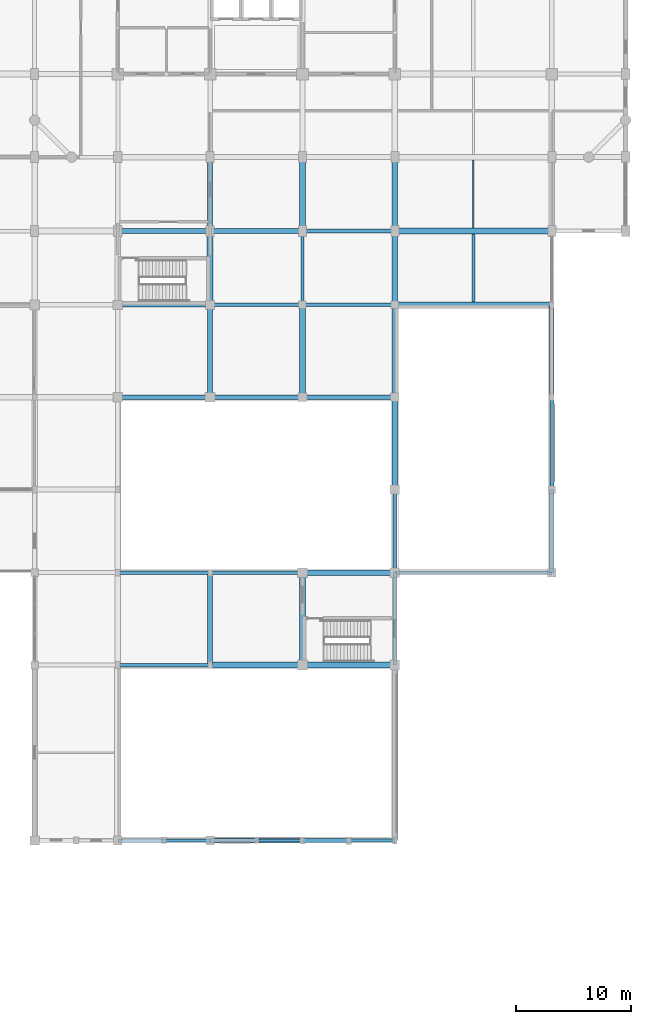
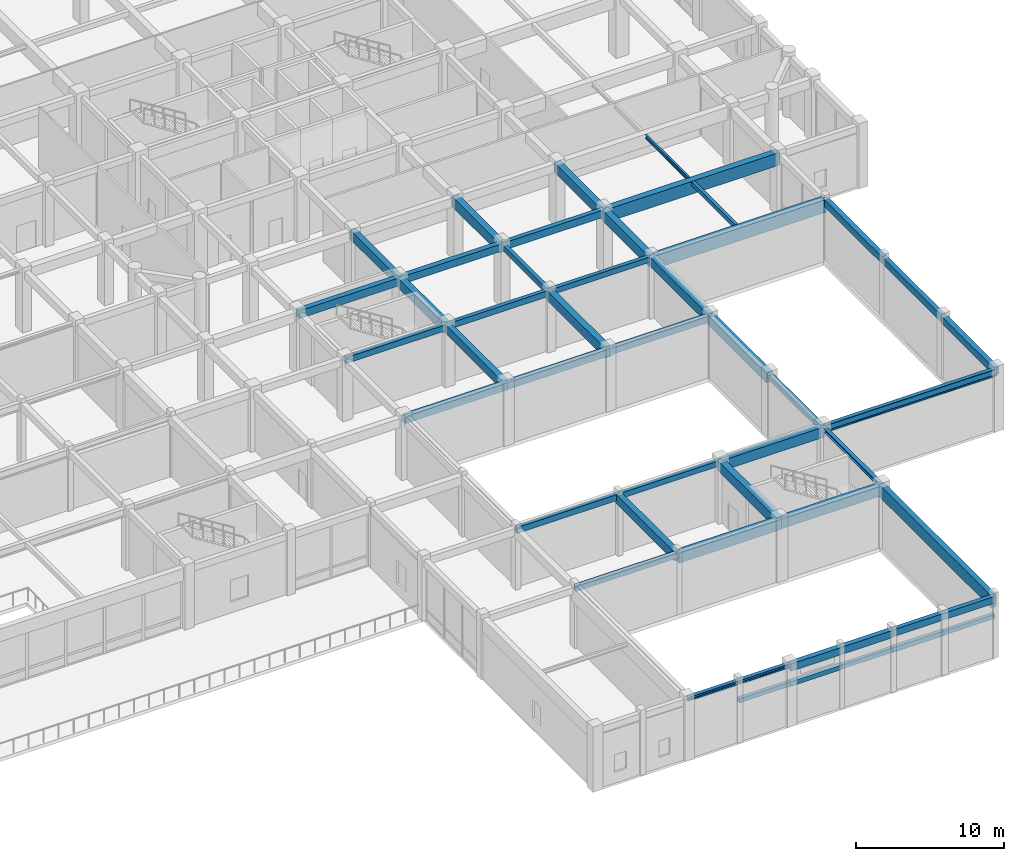
# One storey, part 13 of 36: 46 beams.
"""IFC4 building model written with IfcOpenShell, lengths in metres."""

import ifcopenshell
import ifcopenshell.guid

model = None  # the IFC model being written
_history = None  # IfcOwnerHistory: only IFC2X3 demands one
_inside = {}  # id of a spatial element -> (the spatial element, [elements in it])
_under = {}  # id of a project, library or spatial element -> (it, [spatial elements below it])
_declared = {}  # id of a project -> (the project, [libraries it declares])
_typed = {}  # id of a type object -> (the type object, [elements of that type])
_made_of = {}  # id of a material, layer set ... -> (it, [elements and type objects made of it])


def new_model(schema):
    """Start an empty IFC model of exactly this schema.

    Asked for "IFC4X3", IfcOpenShell would pick the latest addendum, in which some entities
    have other attributes; the version numbers below select the first issue.
    IFC2X3 requires an IfcOwnerHistory on every rooted entity: one is made here for all.
    """
    global model, _history
    if schema == "IFC4X3":
        model = ifcopenshell.file(schema_version=(4, 3, 0, 0))
    else:
        model = ifcopenshell.file(schema=schema)
    _inside.clear()
    _under.clear()
    _declared.clear()
    _typed.clear()
    _made_of.clear()
    _history = None
    if model.schema == "IFC2X3":
        org = make("IfcOrganization", Name="unknown")
        user = make(
            "IfcPersonAndOrganization",
            ThePerson=make("IfcPerson", FamilyName="unknown"),
            TheOrganization=org,
        )
        app = make(
            "IfcApplication",
            ApplicationDeveloper=org,
            Version="unknown",
            ApplicationFullName="unknown",
            ApplicationIdentifier="unknown",
        )
        _history = make(
            "IfcOwnerHistory",
            OwningUser=user,
            OwningApplication=app,
            ChangeAction="ADDED",
            CreationDate=0,
        )
    return model


def make(cls, **values):
    """One entity of the class cls with the attributes given. An attribute that is None is left unset."""
    return model.create_entity(
        cls, **{name: value for name, value in values.items() if value is not None}
    )


def rooted(cls, **values):
    """An entity with a GlobalId (a new one), such as an element, a storey or a relation."""
    return make(cls, GlobalId=ifcopenshell.guid.new(), OwnerHistory=_history, **values)


def si_unit(unit_type, name, prefix=None):
    """IfcSIUnit, for example si_unit("LENGTHUNIT", "METRE", prefix="MILLI")."""
    return make("IfcSIUnit", UnitType=unit_type, Prefix=prefix, Name=name)


def assignment(units):
    """IfcUnitAssignment: the units of a project."""
    return None if units is None else make("IfcUnitAssignment", Units=units)


def point(xyz):
    """IfcCartesianPoint."""
    return None if xyz is None else make("IfcCartesianPoint", Coordinates=xyz)


def direction(xyz):
    """IfcDirection."""
    return None if xyz is None else make("IfcDirection", DirectionRatios=xyz)


def frame(location, z_axis=None, x_axis=None):
    """IfcAxis2Placement3D, a coordinate frame: its origin and axes. An axis left out is left unset."""
    return make(
        "IfcAxis2Placement3D",
        Location=point(location),
        Axis=direction(z_axis),
        RefDirection=direction(x_axis),
    )


def frame_2d(location, x_axis=None):
    """IfcAxis2Placement2D, a coordinate frame in the plane: its origin and x axis."""
    return make(
        "IfcAxis2Placement2D", Location=point(location), RefDirection=direction(x_axis)
    )


def origin():
    """The frame at (0, 0, 0) with its axes left unset."""
    return frame((0.0, 0.0, 0.0))


def origin_2d():
    """The frame at (0, 0) in the plane with its x axis left unset."""
    return frame_2d((0.0, 0.0))


def place(relative_to, where):
    """IfcLocalPlacement: puts the frame where relative to a parent placement (None: the world)."""
    return make(
        "IfcLocalPlacement", PlacementRelTo=relative_to, RelativePlacement=where
    )


def context(
    kind, dimensions, precision=None, world=None, true_north=None, identifier=None
):
    """IfcGeometricRepresentationContext, for example the 3D "Model" context."""
    return make(
        "IfcGeometricRepresentationContext",
        ContextIdentifier=identifier,
        ContextType=kind,
        CoordinateSpaceDimension=dimensions,
        Precision=precision,
        WorldCoordinateSystem=world,
        TrueNorth=true_north,
    )


def subcontext(parent, identifier, kind, view, scale=None):
    """IfcGeometricRepresentationSubContext, for example "Body" below "Model"."""
    return make(
        "IfcGeometricRepresentationSubContext",
        ContextIdentifier=identifier,
        ContextType=kind,
        ParentContext=parent,
        TargetScale=scale,
        TargetView=view,
    )


def project(units=None, contexts=None):
    """IfcProject with its units and contexts."""
    return rooted(
        "IfcProject",
        Name="project",
        RepresentationContexts=contexts,
        UnitsInContext=assignment(units),
    )


def spatial(cls, under=None, at=None, **own):
    """A site, building, storey or space (cls), placed at a placement, below another one or the project."""
    s = rooted(cls, ObjectPlacement=at, **own)
    if under is not None:
        _under.setdefault(under.id(), (under, []))[1].append(s)
    return s


def profile(cls, at=None, kind="AREA", **sizes):
    """A parametric profile (cls). Its sizes go by their IFC names, for example OverallWidth=200.0."""
    return make(cls, ProfileType=kind, Position=at, **sizes)


def rectangle(**sizes):
    """IfcRectangleProfileDef."""
    return profile("IfcRectangleProfileDef", **sizes)


def i_section(**sizes):
    """IfcIShapeProfileDef."""
    return profile("IfcIShapeProfileDef", **sizes)


def extrude(swept, where, along, depth):
    """IfcExtrudedAreaSolid: the profile swept, set in the frame where, extruded along a direction by depth."""
    return make(
        "IfcExtrudedAreaSolid",
        SweptArea=swept,
        Position=where,
        ExtrudedDirection=direction(along),
        Depth=depth,
    )


def shape(context_of_items, identifier, shape_type, items):
    """IfcShapeRepresentation: the items that make up one representation, for example the "Body"."""
    return make(
        "IfcShapeRepresentation",
        ContextOfItems=context_of_items,
        RepresentationIdentifier=identifier,
        RepresentationType=shape_type,
        Items=items,
    )


def material(Name=None, Category=None):
    """IfcMaterial."""
    return make("IfcMaterial", Name=Name, Category=Category)


def material_profile(
    of_material, cross_section, Name=None, Category=None, Priority=None
):
    """IfcMaterialProfile: a cross section and its material."""
    return make(
        "IfcMaterialProfile",
        Name=Name,
        Material=of_material,
        Profile=cross_section,
        Priority=Priority,
        Category=Category,
    )


def profile_set(profiles, Name=None, composite=None):
    """IfcMaterialProfileSet."""
    return make(
        "IfcMaterialProfileSet",
        Name=Name,
        MaterialProfiles=profiles,
        CompositeProfile=composite,
    )


def made_of(thing, what):
    """Note that an element or type object is made of a material, layer set ...; save() writes the relation."""
    if what is not None:
        _made_of.setdefault(what.id(), (what, []))[1].append(thing)
    return thing


def type_object(cls, material=None, **own):
    """A type object (cls), such as IfcWallType, which elements share."""
    return made_of(rooted(cls, **own), material)


def element(
    cls,
    number,
    at=None,
    inside=None,
    cuts=None,
    type_object=None,
    material=None,
    context=None,
    identifier="Body",
    shape_type=None,
    held_by="IfcProductDefinitionShape",
    body=None,
    shapes=None,
    **own,
):
    """One element of the class cls, such as IfcWall. Its Tag is "e" and its number.

    at: its placement. inside: the storey or other place that contains it. cuts: it is an
    opening in that element (IfcRelVoidsElement). A single representation is given by context,
    identifier, shape_type and body (its items); several are given by shapes. held_by: the class
    of the entity that holds the representations. save() writes the other relations.
    """
    e = rooted(cls, Tag="e%d" % number, ObjectPlacement=at, **own)
    if body is not None:
        shapes = [shape(context, identifier, shape_type, body)]
    if shapes is not None:
        e.Representation = make(held_by, Representations=shapes)
    if inside is not None:
        _inside.setdefault(inside.id(), (inside, []))[1].append(e)
    if cuts is not None:
        rooted(
            "IfcRelVoidsElement", RelatingBuildingElement=cuts, RelatedOpeningElement=e
        )
    if type_object is not None:
        _typed.setdefault(type_object.id(), (type_object, []))[1].append(e)
    return made_of(e, material)


def aggregate(whole, parts):
    """IfcRelAggregates: a whole, such as a stair, and the parts it consists of."""
    return rooted("IfcRelAggregates", RelatingObject=whole, RelatedObjects=parts)


def save(model, path):
    """Write the relations noted so far, then the file.

    IfcRelAggregates (storeys below a building ...), IfcRelContainedInSpatialStructure (elements
    in a storey), IfcRelDefinesByType, IfcRelAssociatesMaterial and IfcRelDeclares: one each for
    every whole, place, type object, material and project.
    """
    for whole, parts in _under.values():
        aggregate(whole, parts)
    for where, things in _inside.values():
        rooted(
            "IfcRelContainedInSpatialStructure",
            RelatedElements=things,
            RelatingStructure=where,
        )
    for kind, things in _typed.values():
        rooted("IfcRelDefinesByType", RelatedObjects=things, RelatingType=kind)
    for what, things in _made_of.values():
        rooted("IfcRelAssociatesMaterial", RelatedObjects=things, RelatingMaterial=what)
    for by, libraries in _declared.values():
        rooted("IfcRelDeclares", RelatingContext=by, RelatedDefinitions=libraries)
    model.write(path)


model = new_model("IFC4")

# Units and contexts
model_context = context("Model", 3, precision=1e-05, world=origin(), true_north=direction((0.0, 1.0)))
body_context = subcontext(model_context, "Body", "Model", "MODEL_VIEW")
ifc_project = project(units=[si_unit("LENGTHUNIT", "METRE"), si_unit("AREAUNIT", "SQUARE_METRE"), si_unit("VOLUMEUNIT", "CUBIC_METRE"), si_unit("PLANEANGLEUNIT", "RADIAN"), si_unit("MASSUNIT", "GRAM", prefix="KILO")], contexts=[model_context])

# Site, building, storey
site_placement = place(None, origin())
site = spatial("IfcSite", under=ifc_project, at=site_placement, CompositionType="ELEMENT")
building_placement = place(site_placement, origin())
building = spatial("IfcBuilding", under=site, at=building_placement, Name="Vellmiral Cinema and Media Centre", CompositionType="ELEMENT")
storey_placement = place(building_placement, frame((0.0, 0.0, 5.39990234375)))
storey = spatial("IfcBuildingStorey", under=building, at=storey_placement, Name="L01", CompositionType="ELEMENT", Elevation=5.39990234375)

# Beams
ifc_material_1 = material(Name="Concrete C40/50", Category="concrete")
ifc_material_profile_1 = material_profile(ifc_material_1, rectangle(XDim=0.300048828125, YDim=0.449951171875, at=origin_2d()), Name="RC 300x450")
ifc_profile_set_1 = profile_set([ifc_material_profile_1], Name="Concrete C40/50")
beam_type_1 = type_object("IfcBeamType", Name="BM-RC-300x450", PredefinedType="BEAM", material=ifc_profile_set_1)
for number, where, z_axis, x_axis, name in (
    (1, (124.0, 28.0, 4.81005859375), (1.0, 0.0, 0.0), (0.0, 1.0, 0.0), "Grid Beam L01-X015"),
    (2, (132.0, 36.0, 4.81005859375), (1.0, 0.0, 0.0), (0.0, 1.0, 0.0), "Grid Beam L01-X026"),
    (3, (140.0, 59.199951171875, 4.81005859375), (1.0, 0.0, 0.0), (0.0, 1.0, 0.0), "Grid Beam L01-X070"),
):
    element("IfcBeam", number, at=place(storey_placement, frame(where, z_axis=z_axis, x_axis=x_axis)), inside=storey, type_object=beam_type_1, Name=name, PredefinedType="BEAM", context=body_context, shape_type="SweptSolid", body=[
        extrude(rectangle(XDim=0.300048828125, YDim=0.449951171875, at=origin_2d()), origin(), (0.0, 0.0, 1.0), 8.0),
    ])
beam_1_placement = place(storey_placement, frame((140.0, 59.199951171875, 4.81005859375), z_axis=(0.0, 1.0, 0.0), x_axis=(-1.0, 0.0, 0.0)))
element("IfcBeam", 4, at=beam_1_placement, inside=storey, type_object=beam_type_1, Name="Grid Beam L01-Y315", PredefinedType="BEAM", context=body_context, shape_type="SweptSolid", body=[
    extrude(rectangle(XDim=0.300048828125, YDim=0.449951171875, at=origin_2d()), origin(), (0.0, 0.0, 1.0), 6.400146484375),
])
ifc_material_2 = material(Name="Concrete C40/50", Category="concrete")
ifc_material_profile_2 = material_profile(ifc_material_2, rectangle(XDim=0.300048828125, YDim=0.5, at=origin_2d()), Name="RC 300x500")
ifc_profile_set_2 = profile_set([ifc_material_profile_2], Name="Concrete C40/50")
beam_type_2 = type_object("IfcBeamType", Name="BM-RC-300x500", PredefinedType="BEAM", material=ifc_profile_set_2)
for number, where, z_axis, x_axis, name in (
    (5, (124.0, 36.0, 4.78515625), (1.0, 0.0, 0.0), (0.0, 1.0, 0.0), "Grid Beam L01-X025"),
    (6, (132.0, 59.199951171875, 4.78515625), (1.0, 0.0, 0.0), (0.0, 1.0, 0.0), "Grid Beam L01-X069"),
):
    element("IfcBeam", number, at=place(storey_placement, frame(where, z_axis=z_axis, x_axis=x_axis)), inside=storey, type_object=beam_type_2, Name=name, PredefinedType="BEAM", context=body_context, shape_type="SweptSolid", body=[
        extrude(rectangle(XDim=0.300048828125, YDim=0.5, at=origin_2d()), origin(), (0.0, 0.0, 1.0), 8.0),
    ])
beam_2_placement = place(storey_placement, frame((148.0, 36.0, 4.78515625), z_axis=(0.0, 1.0, 0.0), x_axis=(-1.0, 0.0, 0.0)))
element("IfcBeam", 7, at=beam_2_placement, inside=storey, type_object=beam_type_2, Name="Grid Beam L01-Y324", PredefinedType="BEAM", context=body_context, shape_type="SweptSolid", body=[
    extrude(rectangle(XDim=0.300048828125, YDim=0.5, at=origin_2d()), origin(), (0.0, 0.0, 1.0), 7.199951171875),
])
ifc_material_3 = material(Name="Concrete C40/50", Category="concrete")
ifc_material_profile_3 = material_profile(ifc_material_3, rectangle(XDim=0.35009765625, YDim=0.5, at=origin_2d()), Name="RC 350x500")
ifc_profile_set_3 = profile_set([ifc_material_profile_3], Name="Concrete C40/50")
beam_type_3 = type_object("IfcBeamType", Name="BM-RC-350x500", PredefinedType="BEAM", material=ifc_profile_set_3)
beam_3_placement = place(storey_placement, frame((124.0, 59.199951171875, 4.78515625), z_axis=(1.0, 0.0, 0.0), x_axis=(0.0, 1.0, 0.0)))
element("IfcBeam", 8, at=beam_3_placement, inside=storey, type_object=beam_type_3, Name="Grid Beam L01-X068", PredefinedType="BEAM", context=body_context, shape_type="SweptSolid", body=[
    extrude(rectangle(XDim=0.35009765625, YDim=0.5, at=origin_2d()), origin(), (0.0, 0.0, 1.0), 8.0),
])
ifc_material_4 = material(Name="Concrete C40/50", Category="concrete")
ifc_material_profile_4 = material_profile(ifc_material_4, rectangle(XDim=0.35009765625, YDim=0.550048828125, at=origin_2d()), Name="RC 350x550")
ifc_profile_set_4 = profile_set([ifc_material_profile_4], Name="Concrete C40/50")
beam_type_4 = type_object("IfcBeamType", Name="BM-RC-350x550", PredefinedType="BEAM", material=ifc_profile_set_4)
beam_4_placement = place(storey_placement, frame((140.0, 51.199951171875, 4.760009765625), z_axis=(1.0, 0.0, 0.0), x_axis=(0.0, 1.0, 0.0)))
element("IfcBeam", 9, at=beam_4_placement, inside=storey, type_object=beam_type_4, Name="Grid Beam L01-X056", PredefinedType="BEAM", context=body_context, shape_type="SweptSolid", body=[
    extrude(rectangle(XDim=0.35009765625, YDim=0.550048828125, at=origin_2d()), origin(), (0.0, 0.0, 1.0), 8.0),
])
ifc_material_5 = material(Name="Concrete C40/50", Category="concrete")
ifc_material_profile_5 = material_profile(ifc_material_5, rectangle(XDim=0.35009765625, YDim=0.60009765625, at=origin_2d()), Name="RC 350x600")
ifc_profile_set_5 = profile_set([ifc_material_profile_5], Name="Concrete C40/50")
beam_type_5 = type_object("IfcBeamType", Name="BM-RC-350x600", PredefinedType="BEAM", material=ifc_profile_set_5)
for number, where, z_axis, x_axis, name in (
    (10, (132.0, 51.199951171875, 4.735107421875), (1.0, 0.0, 0.0), (0.0, 1.0, 0.0), "Grid Beam L01-X055"),
    (11, (140.0, 65.60009765625, 4.735107421875), (1.0, 0.0, 0.0), (0.0, 1.0, 0.0), "Grid Beam L01-X088"),
):
    element("IfcBeam", number, at=place(storey_placement, frame(where, z_axis=z_axis, x_axis=x_axis)), inside=storey, type_object=beam_type_5, Name=name, PredefinedType="BEAM", context=body_context, shape_type="SweptSolid", body=[
        extrude(rectangle(XDim=0.35009765625, YDim=0.60009765625, at=origin_2d()), origin(), (0.0, 0.0, 1.0), 8.0),
    ])
ifc_material_6 = material(Name="Concrete C40/50", Category="concrete")
ifc_material_profile_6 = material_profile(ifc_material_6, rectangle(XDim=0.39990234375, YDim=0.60009765625, at=origin_2d()), Name="RC 400x600")
ifc_profile_set_6 = profile_set([ifc_material_profile_6], Name="Concrete C40/50")
beam_type_6 = type_object("IfcBeamType", Name="BM-RC-400x600", PredefinedType="BEAM", material=ifc_profile_set_6)
for number, where, z_axis, x_axis, name in (
    (12, (124.0, 51.199951171875, 4.735107421875), (1.0, 0.0, 0.0), (0.0, 1.0, 0.0), "Grid Beam L01-X054"),
    (13, (132.0, 65.60009765625, 4.735107421875), (1.0, 0.0, 0.0), (0.0, 1.0, 0.0), "Grid Beam L01-X087"),
):
    element("IfcBeam", number, at=place(storey_placement, frame(where, z_axis=z_axis, x_axis=x_axis)), inside=storey, type_object=beam_type_6, Name=name, PredefinedType="BEAM", context=body_context, shape_type="SweptSolid", body=[
        extrude(rectangle(XDim=0.39990234375, YDim=0.60009765625, at=origin_2d()), origin(), (0.0, 0.0, 1.0), 8.0),
    ])
ifc_material_7 = material(Name="Concrete C40/50", Category="concrete")
ifc_material_profile_7 = material_profile(ifc_material_7, rectangle(XDim=0.39990234375, YDim=0.64990234375, at=origin_2d()), Name="RC 400x650")
ifc_profile_set_7 = profile_set([ifc_material_profile_7], Name="Concrete C40/50")
beam_type_7 = type_object("IfcBeamType", Name="BM-RC-400x650", PredefinedType="BEAM", material=ifc_profile_set_7)
beam_5_placement = place(storey_placement, frame((124.0, 65.60009765625, 4.710205078125), z_axis=(1.0, 0.0, 0.0), x_axis=(0.0, 1.0, 0.0)))
element("IfcBeam", 14, at=beam_5_placement, inside=storey, type_object=beam_type_7, Name="Grid Beam L01-X086", PredefinedType="BEAM", context=body_context, shape_type="SweptSolid", body=[
    extrude(rectangle(XDim=0.39990234375, YDim=0.64990234375, at=origin_2d()), origin(), (0.0, 0.0, 1.0), 8.0),
])
ifc_material_8 = material(Name="Concrete C40/50", Category="concrete")
ifc_material_profile_8 = material_profile(ifc_material_8, rectangle(XDim=0.449951171875, YDim=0.699951171875, at=origin_2d()), Name="RC 450x700")
ifc_profile_set_8 = profile_set([ifc_material_profile_8], Name="Concrete C40/50")
beam_type_8 = type_object("IfcBeamType", Name="BM-RC-450x700", PredefinedType="BEAM", material=ifc_profile_set_8)
beam_6_placement = place(storey_placement, frame((132.0, 51.199951171875, 4.68505859375), z_axis=(0.0, 1.0, 0.0), x_axis=(-1.0, 0.0, 0.0)))
element("IfcBeam", 15, at=beam_6_placement, inside=storey, type_object=beam_type_8, Name="Grid Beam L01-Y305", PredefinedType="BEAM", context=body_context, shape_type="SweptSolid", body=[
    extrude(rectangle(XDim=0.449951171875, YDim=0.699951171875, at=origin_2d()), origin(), (0.0, 0.0, 1.0), 8.0),
])
ifc_material_9 = material(Name="Concrete C40/50", Category="concrete")
ifc_material_profile_9 = material_profile(ifc_material_9, rectangle(XDim=0.449951171875, YDim=0.75, at=origin_2d()), Name="RC 450x750")
ifc_profile_set_9 = profile_set([ifc_material_profile_9], Name="Concrete C40/50")
beam_type_9 = type_object("IfcBeamType", Name="BM-RC-450x750", PredefinedType="BEAM", material=ifc_profile_set_9)
beam_7_placement = place(storey_placement, frame((132.0, 28.0, 4.66015625), z_axis=(0.0, 1.0, 0.0), x_axis=(-1.0, 0.0, 0.0)))
element("IfcBeam", 16, at=beam_7_placement, inside=storey, type_object=beam_type_9, Name="Grid Beam L01-Y304", PredefinedType="BEAM", context=body_context, shape_type="SweptSolid", body=[
    extrude(rectangle(XDim=0.449951171875, YDim=0.75, at=origin_2d()), origin(), (0.0, 0.0, 1.0), 8.0),
])
beam_8_placement = place(storey_placement, frame((132.0, 65.60009765625, 4.66015625), z_axis=(0.0, 1.0, 0.0), x_axis=(-1.0, 0.0, 0.0)))
element("IfcBeam", 17, at=beam_8_placement, inside=storey, type_object=beam_type_9, Name="Grid Beam L01-Y307", PredefinedType="BEAM", context=body_context, shape_type="SweptSolid", body=[
    extrude(rectangle(XDim=0.449951171875, YDim=0.75, at=origin_2d()), origin(), (0.0, 0.0, 1.0), 6.39990234375),
])
beam_9_placement = place(storey_placement, frame((148.0, 51.199951171875, 4.66015625), z_axis=(0.0, 1.0, 0.0), x_axis=(-1.0, 0.0, 0.0)))
element("IfcBeam", 18, at=beam_9_placement, inside=storey, type_object=beam_type_9, Name="Grid Beam L01-Y326", PredefinedType="BEAM", context=body_context, shape_type="SweptSolid", body=[
    extrude(rectangle(XDim=0.449951171875, YDim=0.75, at=origin_2d()), origin(), (0.0, 0.0, 1.0), 8.0),
])
ifc_material_10 = material(Name="Concrete C40/50", Category="concrete")
ifc_material_profile_10 = material_profile(ifc_material_10, rectangle(XDim=0.5, YDim=0.800048828125, at=origin_2d()), Name="RC 500x800")
ifc_profile_set_10 = profile_set([ifc_material_profile_10], Name="Concrete C40/50")
beam_type_10 = type_object("IfcBeamType", Name="BM-RC-500x800", PredefinedType="BEAM", material=ifc_profile_set_10)
beam_10_placement = place(storey_placement, frame((140.0, 28.0, 4.635009765625), z_axis=(1.0, 0.0, 0.0), x_axis=(0.0, 1.0, 0.0)))
element("IfcBeam", 19, at=beam_10_placement, inside=storey, type_object=beam_type_10, Name="Grid Beam L01-X017", PredefinedType="BEAM", context=body_context, shape_type="SweptSolid", body=[
    extrude(rectangle(XDim=0.5, YDim=0.800048828125, at=origin_2d()), origin(), (0.0, 0.0, 1.0), 8.0),
])
beam_11_placement = place(storey_placement, frame((132.0, 59.199951171875, 4.635009765625), z_axis=(0.0, 1.0, 0.0), x_axis=(-1.0, 0.0, 0.0)))
element("IfcBeam", 20, at=beam_11_placement, inside=storey, type_object=beam_type_10, Name="Grid Beam L01-Y306", PredefinedType="BEAM", context=body_context, shape_type="SweptSolid", body=[
    extrude(rectangle(XDim=0.5, YDim=0.800048828125, at=origin_2d()), origin(), (0.0, 0.0, 1.0), 6.400146484375),
])
for number, where, z_axis, x_axis, name in (
    (21, (140.0, 51.199951171875, 4.635009765625), (0.0, 1.0, 0.0), (-1.0, 0.0, 0.0), "Grid Beam L01-Y314"),
    (22, (148.0, 43.199951171875, 4.635009765625), (0.0, 1.0, 0.0), (-1.0, 0.0, 0.0), "Grid Beam L01-Y325"),
):
    element("IfcBeam", number, at=place(storey_placement, frame(where, z_axis=z_axis, x_axis=x_axis)), inside=storey, type_object=beam_type_10, Name=name, PredefinedType="BEAM", context=body_context, shape_type="SweptSolid", body=[
        extrude(rectangle(XDim=0.5, YDim=0.800048828125, at=origin_2d()), origin(), (0.0, 0.0, 1.0), 8.0),
    ])
beam_12_placement = place(storey_placement, frame((148.0, 65.60009765625, 4.635009765625), z_axis=(0.0, 1.0, 0.0), x_axis=(-1.0, 0.0, 0.0)))
element("IfcBeam", 23, at=beam_12_placement, inside=storey, type_object=beam_type_10, Name="Grid Beam L01-Y328", PredefinedType="BEAM", context=body_context, shape_type="SweptSolid", body=[
    extrude(rectangle(XDim=0.5, YDim=0.800048828125, at=origin_2d()), origin(), (0.0, 0.0, 1.0), 6.39990234375),
])
ifc_material_11 = material(Name="Concrete C40/50", Category="concrete")
ifc_material_profile_11 = material_profile(ifc_material_11, rectangle(XDim=0.5, YDim=0.85009765625, at=origin_2d()), Name="RC 500x850")
ifc_profile_set_11 = profile_set([ifc_material_profile_11], Name="Concrete C40/50")
beam_type_11 = type_object("IfcBeamType", Name="BM-RC-500x850", PredefinedType="BEAM", material=ifc_profile_set_11)
for number, where, z_axis, x_axis, name in (
    (24, (132.0, 28.0, 4.610107421875), (1.0, 0.0, 0.0), (0.0, 1.0, 0.0), "Grid Beam L01-X016"),
    (25, (140.0, 36.0, 4.610107421875), (1.0, 0.0, 0.0), (0.0, 1.0, 0.0), "Grid Beam L01-X027"),
    (26, (140.0, 28.0, 4.610107421875), (0.0, 1.0, 0.0), (-1.0, 0.0, 0.0), "Grid Beam L01-Y313"),
):
    element("IfcBeam", number, at=place(storey_placement, frame(where, z_axis=z_axis, x_axis=x_axis)), inside=storey, type_object=beam_type_11, Name=name, PredefinedType="BEAM", context=body_context, shape_type="SweptSolid", body=[
        extrude(rectangle(XDim=0.5, YDim=0.85009765625, at=origin_2d()), origin(), (0.0, 0.0, 1.0), 8.0),
    ])
beam_13_placement = place(storey_placement, frame((140.0, 65.60009765625, 4.610107421875), z_axis=(0.0, 1.0, 0.0), x_axis=(-1.0, 0.0, 0.0)))
element("IfcBeam", 27, at=beam_13_placement, inside=storey, type_object=beam_type_11, Name="Grid Beam L01-Y316", PredefinedType="BEAM", context=body_context, shape_type="SweptSolid", body=[
    extrude(rectangle(XDim=0.5, YDim=0.85009765625, at=origin_2d()), origin(), (0.0, 0.0, 1.0), 6.39990234375),
])
beam_14_placement = place(storey_placement, frame((148.0, 59.199951171875, 4.610107421875), z_axis=(0.0, 1.0, 0.0), x_axis=(-1.0, 0.0, 0.0)))
element("IfcBeam", 28, at=beam_14_placement, inside=storey, type_object=beam_type_11, Name="Grid Beam L01-Y327", PredefinedType="BEAM", context=body_context, shape_type="SweptSolid", body=[
    extrude(rectangle(XDim=0.5, YDim=0.85009765625, at=origin_2d()), origin(), (0.0, 0.0, 1.0), 6.400146484375),
])
ifc_material_12 = material(Name="Concrete C40/50", Category="concrete")
ifc_material_profile_12 = material_profile(ifc_material_12, rectangle(XDim=0.5, YDim=1.050048828125, at=origin_2d()), Name="RC 500x1050")
ifc_profile_set_12 = profile_set([ifc_material_profile_12], Name="Concrete C40/50")
beam_type_12 = type_object("IfcBeamType", Name="BM-RCG-500x1050", PredefinedType="BEAM", material=ifc_profile_set_12)
for number, where, z_axis, x_axis, name in (
    (29, (148.0, 59.199951171875, 4.510009765625), (1.0, 0.0, 0.0), (0.0, 1.0, 0.0), "Grid Beam L01-X071"),
    (30, (148.0, 65.60009765625, 4.510009765625), (1.0, 0.0, 0.0), (0.0, 1.0, 0.0), "Grid Beam L01-X089"),
):
    element("IfcBeam", number, at=place(storey_placement, frame(where, z_axis=z_axis, x_axis=x_axis)), inside=storey, type_object=beam_type_12, Name=name, PredefinedType="BEAM", context=body_context, shape_type="SweptSolid", body=[
        extrude(rectangle(XDim=0.5, YDim=1.050048828125, at=origin_2d()), origin(), (0.0, 0.0, 1.0), 13.60009765625),
    ])
ifc_material_13 = material(Name="Concrete C40/50", Category="concrete")
ifc_material_profile_13 = material_profile(ifc_material_13, rectangle(XDim=0.25, YDim=0.35009765625, at=origin_2d()), Name="RC 250x350")
ifc_profile_set_13 = profile_set([ifc_material_profile_13], Name="Concrete C40/50")
beam_type_13 = type_object("IfcBeamType", Name="JST-RC-250x350", PredefinedType="JOIST", material=ifc_profile_set_13)
beam_15_placement = place(storey_placement, frame((154.800048828125, 59.449951171875, 4.860107421875), z_axis=(0.0, 1.0, 0.0), x_axis=(-1.0, 0.0, 0.0)))
element("IfcBeam", 31, at=beam_15_placement, inside=storey, type_object=beam_type_13, Name="Secondary Floor Joist L01-026", PredefinedType="JOIST", context=body_context, shape_type="SweptSolid", body=[
    extrude(rectangle(XDim=0.25, YDim=0.35009765625, at=origin_2d()), origin(), (0.0, 0.0, 1.0), 5.900146484375),
])
ifc_material_14 = material(Name="Concrete C40/50", Category="concrete")
ifc_material_profile_14 = material_profile(ifc_material_14, rectangle(XDim=0.280029296875, YDim=0.35009765625, at=origin_2d()), Name="RC 280x350")
ifc_profile_set_14 = profile_set([ifc_material_profile_14], Name="Concrete C40/50")
beam_type_14 = type_object("IfcBeamType", Name="LNT-RC-280x350", PredefinedType="LINTEL", material=ifc_profile_set_14)
for number, where, z_axis, x_axis, name in (
    (32, (128.0, 12.800048828125, 3.35009765625), (1.0, 0.0, 0.0), (0.0, 1.0, 0.0), "Harbour Arcade Lintel L01-14"),
    (33, (136.0, 12.800048828125, 3.35009765625), (1.0, 0.0, 0.0), (0.0, 1.0, 0.0), "Harbour Arcade Lintel L01-16"),
    (34, (144.0, 12.800048828125, 3.35009765625), (1.0, 0.0, 0.0), (0.0, 1.0, 0.0), "Harbour Arcade Lintel L01-18"),
):
    element("IfcBeam", number, at=place(storey_placement, frame(where, z_axis=z_axis, x_axis=x_axis)), inside=storey, type_object=beam_type_14, Name=name, PredefinedType="LINTEL", context=body_context, shape_type="SweptSolid", body=[
        extrude(rectangle(XDim=0.280029296875, YDim=0.35009765625, at=origin_2d()), origin(), (0.0, 0.0, 1.0), 4.0),
    ])
ifc_material_15 = material(Name="Vosges Red Sandstone Masonry", Category="masonry")
ifc_material_profile_15 = material_profile(ifc_material_15, rectangle(XDim=0.320068359375, YDim=0.39990234375, at=origin_2d()), Name="SAND 320x400")
ifc_profile_set_15 = profile_set([ifc_material_profile_15], Name="Vosges Red Sandstone Masonry")
beam_type_15 = type_object("IfcBeamType", Name="LNT-SAND-320x400", PredefinedType="LINTEL", material=ifc_profile_set_15)
for number, where, z_axis, x_axis, name in (
    (35, (132.0, 12.800048828125, 3.35009765625), (1.0, 0.0, 0.0), (0.0, 1.0, 0.0), "Harbour Arcade Lintel L01-15"),
    (36, (140.0, 12.800048828125, 3.35009765625), (1.0, 0.0, 0.0), (0.0, 1.0, 0.0), "Harbour Arcade Lintel L01-17"),
):
    element("IfcBeam", number, at=place(storey_placement, frame(where, z_axis=z_axis, x_axis=x_axis)), inside=storey, type_object=beam_type_15, Name=name, PredefinedType="LINTEL", context=body_context, shape_type="SweptSolid", body=[
        extrude(rectangle(XDim=0.320068359375, YDim=0.39990234375, at=origin_2d()), origin(), (0.0, 0.0, 1.0), 4.0),
    ])
ifc_material_16 = material(Name="Steel S355", Category="steel")
ifc_material_profile_16 = material_profile(ifc_material_16, i_section(OverallWidth=0.300048828125, OverallDepth=0.300048828125, WebThickness=0.010986328125, FlangeThickness=0.01904296875, FilletRadius=0.027099609375, at=origin_2d()), Name="HEB 300")
ifc_profile_set_16 = profile_set([ifc_material_profile_16], Name="Steel S355")
beam_type_16 = type_object("IfcBeamType", Name="SBM-HEB300", PredefinedType="SPANDREL", material=ifc_profile_set_16)
for number, where, z_axis, x_axis, name in (
    (37, (124.0, 12.800048828125, 4.885009765625), (1.0, 0.0, 0.0), (0.0, 1.0, 0.0), "Grid Beam L01-X008"),
    (38, (148.0, 28.0, 4.885009765625), (0.0, 1.0, 0.0), (-1.0, 0.0, 0.0), "Grid Beam L01-Y323"),
):
    element("IfcBeam", number, at=place(storey_placement, frame(where, z_axis=z_axis, x_axis=x_axis)), inside=storey, type_object=beam_type_16, Name=name, PredefinedType="SPANDREL", context=body_context, shape_type="SweptSolid", body=[
        extrude(i_section(OverallWidth=0.300048828125, OverallDepth=0.300048828125, WebThickness=0.010986328125, FlangeThickness=0.01904296875, FilletRadius=0.027099609375, at=origin_2d()), origin(), (0.0, 0.0, 1.0), 8.0),
    ])
ifc_material_17 = material(Name="Steel S355", Category="steel")
ifc_material_profile_17 = material_profile(ifc_material_17, i_section(OverallWidth=0.300048828125, OverallDepth=0.60009765625, WebThickness=0.015380859375, FlangeThickness=0.030029296875, FilletRadius=0.027099609375, at=origin_2d()), Name="HEB 600")
ifc_profile_set_17 = profile_set([ifc_material_profile_17], Name="Steel S355")
beam_type_17 = type_object("IfcBeamType", Name="SBM-HEB600-SPD", PredefinedType="SPANDREL", material=ifc_profile_set_17)
beam_16_placement = place(storey_placement, frame((148.0, 36.0, 4.735107421875), z_axis=(1.0, 0.0, 0.0), x_axis=(0.0, 1.0, 0.0)))
element("IfcBeam", 39, at=beam_16_placement, inside=storey, type_object=beam_type_17, Name="Grid Beam L01-X028", PredefinedType="SPANDREL", context=body_context, shape_type="SweptSolid", body=[
    extrude(i_section(OverallWidth=0.300048828125, OverallDepth=0.60009765625, WebThickness=0.015380859375, FlangeThickness=0.030029296875, FilletRadius=0.027099609375, at=origin_2d()), origin(), (0.0, 0.0, 1.0), 13.60009765625),
])
ifc_material_18 = material(Name="Steel S355", Category="steel")
ifc_material_profile_18 = material_profile(ifc_material_18, i_section(OverallWidth=0.14990234375, OverallDepth=0.300048828125, WebThickness=0.007080078125, FlangeThickness=0.0107421875, FilletRadius=0.014892578125, at=origin_2d()), Name="IPE 300")
ifc_profile_set_18 = profile_set([ifc_material_profile_18], Name="Steel S355")
beam_type_18 = type_object("IfcBeamType", Name="SBM-IPE300", PredefinedType="JOIST", material=ifc_profile_set_18)
beam_17_placement = place(storey_placement, frame((154.800048828125, 65.85009765625, 4.885009765625), z_axis=(0.0, 1.0, 0.0), x_axis=(-1.0, 0.0, 0.0)))
element("IfcBeam", 40, at=beam_17_placement, inside=storey, type_object=beam_type_18, Name="Secondary Floor Joist L01-027", PredefinedType="JOIST", context=body_context, shape_type="SweptSolid", body=[
    extrude(i_section(OverallWidth=0.14990234375, OverallDepth=0.300048828125, WebThickness=0.007080078125, FlangeThickness=0.0107421875, FilletRadius=0.014892578125, at=origin_2d()), origin(), (0.0, 0.0, 1.0), 5.89990234375),
])
ifc_material_19 = material(Name="Concrete C40/50", Category="concrete")
ifc_material_profile_19 = material_profile(ifc_material_19, rectangle(XDim=0.35009765625, YDim=0.56005859375, at=origin_2d()), Name="RC 350x560")
ifc_profile_set_19 = profile_set([ifc_material_profile_19], Name="Concrete C40/50")
beam_type_19 = type_object("IfcBeamType", Name="SPD-RC-350x560", PredefinedType="SPANDREL", material=ifc_profile_set_19)
for number, where, z_axis, x_axis, name in (
    (41, (140.0, 12.800048828125, 4.755126953125), (1.0, 0.0, 0.0), (0.0, 1.0, 0.0), "Grid Beam L01-X010"),
    (42, (161.60009765625, 43.199951171875, 4.755126953125), (0.0, 1.0, 0.0), (-1.0, 0.0, 0.0), "Grid Beam L01-Y335"),
):
    element("IfcBeam", number, at=place(storey_placement, frame(where, z_axis=z_axis, x_axis=x_axis)), inside=storey, type_object=beam_type_19, Name=name, PredefinedType="SPANDREL", context=body_context, shape_type="SweptSolid", body=[
        extrude(rectangle(XDim=0.35009765625, YDim=0.56005859375, at=origin_2d()), origin(), (0.0, 0.0, 1.0), 8.0),
    ])
ifc_material_20 = material(Name="Concrete C40/50", Category="concrete")
ifc_material_profile_20 = material_profile(ifc_material_20, rectangle(XDim=0.39990234375, YDim=0.60009765625, at=origin_2d()), Name="RC 400x600")
ifc_profile_set_20 = profile_set([ifc_material_profile_20], Name="Concrete C40/50")
beam_type_20 = type_object("IfcBeamType", Name="SPD-RC-400x600", PredefinedType="SPANDREL", material=ifc_profile_set_20)
beam_18_placement = place(storey_placement, frame((132.0, 12.800048828125, 4.735107421875), z_axis=(1.0, 0.0, 0.0), x_axis=(0.0, 1.0, 0.0)))
element("IfcBeam", 43, at=beam_18_placement, inside=storey, type_object=beam_type_20, Name="Grid Beam L01-X009", PredefinedType="SPANDREL", context=body_context, shape_type="SweptSolid", body=[
    extrude(rectangle(XDim=0.39990234375, YDim=0.60009765625, at=origin_2d()), origin(), (0.0, 0.0, 1.0), 8.0),
])
beam_19_placement = place(storey_placement, frame((161.60009765625, 36.0, 4.735107421875), z_axis=(0.0, 1.0, 0.0), x_axis=(-1.0, 0.0, 0.0)))
element("IfcBeam", 44, at=beam_19_placement, inside=storey, type_object=beam_type_20, Name="Grid Beam L01-Y334", PredefinedType="SPANDREL", context=body_context, shape_type="SweptSolid", body=[
    extrude(rectangle(XDim=0.39990234375, YDim=0.60009765625, at=origin_2d()), origin(), (0.0, 0.0, 1.0), 7.199951171875),
])
ifc_material_21 = material(Name="Vosges Red Sandstone Masonry", Category="masonry")
ifc_material_profile_21 = material_profile(ifc_material_21, rectangle(XDim=0.3798828125, YDim=0.580078125, at=origin_2d()), Name="SAND 380x580")
ifc_profile_set_21 = profile_set([ifc_material_profile_21], Name="Vosges Red Sandstone Masonry")
beam_type_21 = type_object("IfcBeamType", Name="SPD-SAND-380x580", PredefinedType="SPANDREL", material=ifc_profile_set_21)
beam_20_placement = place(storey_placement, frame((161.60009765625, 51.199951171875, 4.7451171875), z_axis=(0.0, 1.0, 0.0), x_axis=(-1.0, 0.0, 0.0)))
element("IfcBeam", 45, at=beam_20_placement, inside=storey, type_object=beam_type_21, Name="Grid Beam L01-Y336", PredefinedType="SPANDREL", context=body_context, shape_type="SweptSolid", body=[
    extrude(rectangle(XDim=0.3798828125, YDim=0.580078125, at=origin_2d()), origin(), (0.0, 0.0, 1.0), 8.0),
])
ifc_material_22 = material(Name="Vosges Red Sandstone Masonry", Category="masonry")
ifc_material_profile_22 = material_profile(ifc_material_22, rectangle(XDim=0.419921875, YDim=1.0, at=origin_2d()), Name="SAND 420x1000")
ifc_profile_set_22 = profile_set([ifc_material_profile_22], Name="Vosges Red Sandstone Masonry")
beam_type_22 = type_object("IfcBeamType", Name="SPD-SANDG-420x1000", PredefinedType="SPANDREL", material=ifc_profile_set_22)
beam_21_placement = place(storey_placement, frame((148.0, 12.800048828125, 4.53515625), z_axis=(0.0, 1.0, 0.0), x_axis=(-1.0, 0.0, 0.0)))
element("IfcBeam", 46, at=beam_21_placement, inside=storey, type_object=beam_type_22, Name="Grid Beam L01-Y322", PredefinedType="SPANDREL", context=body_context, shape_type="SweptSolid", body=[
    extrude(rectangle(XDim=0.419921875, YDim=1.0, at=origin_2d()), origin(), (0.0, 0.0, 1.0), 15.199951171875),
])

save(model, "model.ifc")
